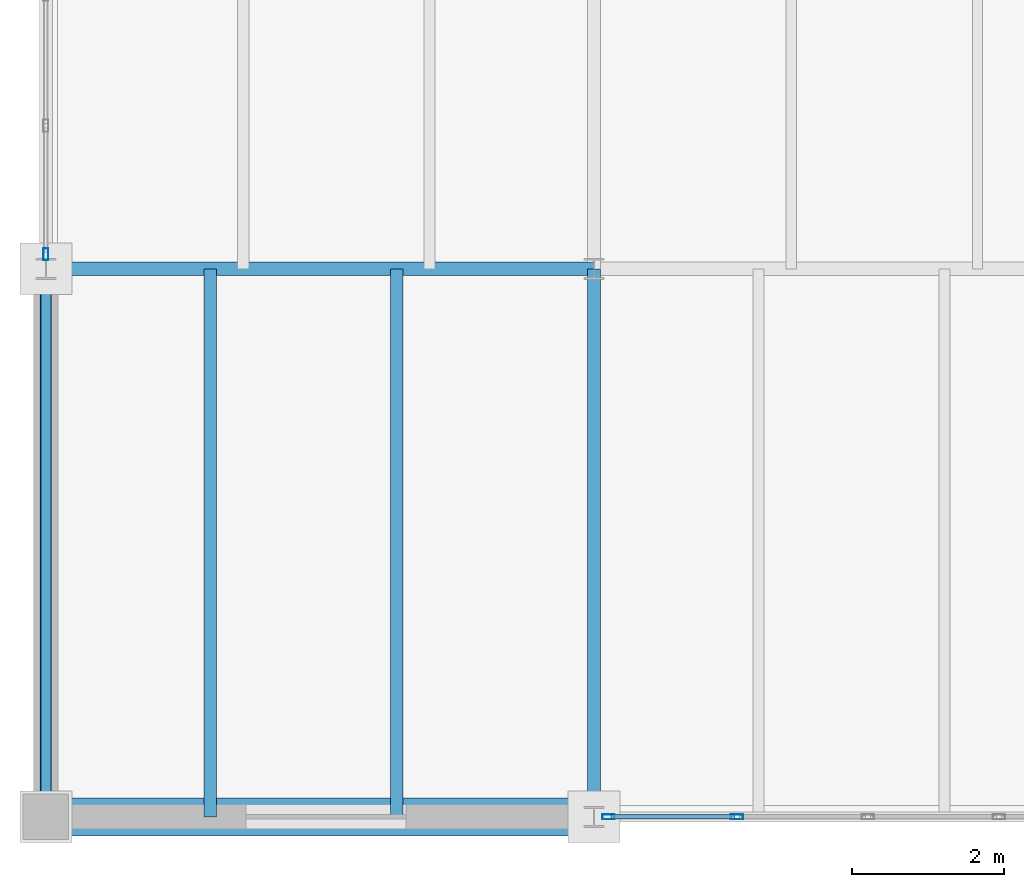
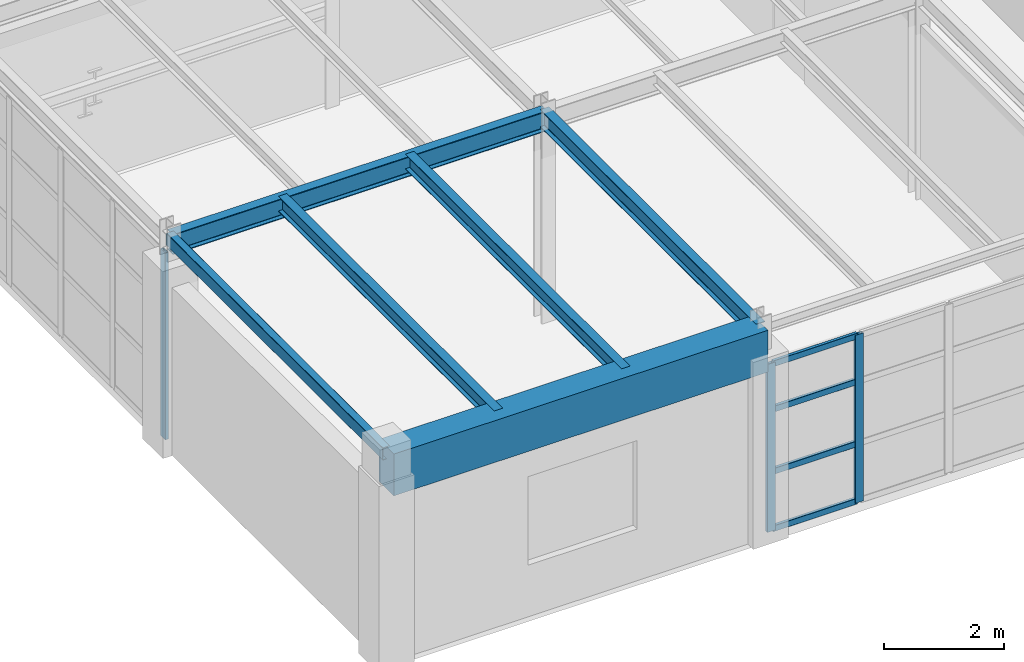
# One storey, part 12 of 101: 7 members, 6 beams, 2 elements without a shape of their own.
"""IFC4 building model written with IfcOpenShell, lengths in metres."""

from ifc_helpers import new_model, si_unit, direction, frame, origin, origin_2d, place, context, subcontext, project, spatial, rectangle, hollow_rectangle, i_section, extrude, material, layer, layer_set, material_profile, profile_set, type_object, element, aggregate, save


model = new_model("IFC4")

# Units and contexts
model_context = context("Model", 3, precision=1e-05, world=origin(), true_north=direction((0.0, 1.0)))
body_context = subcontext(model_context, "Body", "Model", "MODEL_VIEW")
ifc_project = project(units=[si_unit("LENGTHUNIT", "METRE"), si_unit("AREAUNIT", "SQUARE_METRE"), si_unit("VOLUMEUNIT", "CUBIC_METRE"), si_unit("PLANEANGLEUNIT", "RADIAN"), si_unit("MASSUNIT", "GRAM", prefix="KILO")], contexts=[model_context])

# Site, building, storey
site_placement = place(None, origin())
site = spatial("IfcSite", under=ifc_project, at=site_placement, CompositionType="ELEMENT")
building_placement = place(site_placement, origin())
building = spatial("IfcBuilding", under=site, at=building_placement, Name="Kemerveld Promenade Tramway Depot", CompositionType="ELEMENT")
storey_placement = place(building_placement, frame((0.0, 0.0, 9.89990234375)))
storey = spatial("IfcBuildingStorey", under=building, at=storey_placement, Name="L02", CompositionType="ELEMENT", Elevation=9.89990234375)

# Beams
ifc_material_1 = material(Name="Steel S355", Category="steel")
ifc_material_profile_1 = material_profile(ifc_material_1, i_section(OverallWidth=0.1787109375, OverallDepth=0.409423828125, WebThickness=0.0087890625, FlangeThickness=0.014404296875, FilletRadius=0.01025390625, at=origin_2d()), Name="406x178x67 UB")
ifc_profile_set_1 = profile_set([ifc_material_profile_1], Name="Steel S355")
beam_type_1 = type_object("IfcBeamType", Name="BM-G07", PredefinedType="BEAM", material=ifc_profile_set_1)
beam_1_placement = place(storey_placement, frame((0.0, 7.199951171875, 4.080322265625), z_axis=(1.0, 0.0, 0.0), x_axis=(0.0, 1.0, 0.0)))
element("IfcBeam", 1, at=beam_1_placement, inside=storey, type_object=beam_type_1, Name="BMX-L02-01-02-B", PredefinedType="BEAM", context=body_context, shape_type="SweptSolid", body=[
    extrude(i_section(OverallWidth=0.1787109375, OverallDepth=0.409423828125, WebThickness=0.0087890625, FlangeThickness=0.014404296875, FilletRadius=0.01025390625, at=origin_2d()), origin(), (0.0, 0.0, 1.0), 7.199951171875),
])
ifc_material_profile_2 = material_profile(ifc_material_1, i_section(OverallWidth=0.172119140625, OverallDepth=0.35791015625, WebThickness=0.008056640625, FlangeThickness=0.012939453125, FilletRadius=0.01025390625, at=origin_2d()), Name="356x171x57 UB")
ifc_profile_set_2 = profile_set([ifc_material_profile_2], Name="Steel S355")
beam_type_2 = type_object("IfcBeamType", Name="BM-G08", PredefinedType="BEAM", material=ifc_profile_set_2)
beam_2_placement = place(storey_placement, frame((7.199951171875, 0.0, 4.106201171875), z_axis=(0.0, 1.0, 0.0), x_axis=(-1.0, 0.0, 0.0)))
element("IfcBeam", 2, at=beam_2_placement, inside=storey, type_object=beam_type_2, Name="BMY-L02-02-A-B", PredefinedType="BEAM", context=body_context, shape_type="SweptSolid", body=[
    extrude(i_section(OverallWidth=0.172119140625, OverallDepth=0.35791015625, WebThickness=0.008056640625, FlangeThickness=0.012939453125, FilletRadius=0.01025390625, at=origin_2d()), origin(), (0.0, 0.0, 1.0), 7.199951171875),
])
ifc_material_profile_3 = material_profile(ifc_material_1, i_section(OverallWidth=0.165771484375, OverallDepth=0.306640625, WebThickness=0.006591796875, FlangeThickness=0.01171875, FilletRadius=0.0087890625, at=origin_2d()), Name="305x165x46 UB")
ifc_profile_set_3 = profile_set([ifc_material_profile_3], Name="Steel S355")
beam_type_3 = type_object("IfcBeamType", Name="BM-J01", PredefinedType="JOIST", material=ifc_profile_set_3)
for number, where, z_axis, x_axis, name in (
    (3, (2.159912109375, 0.0, 4.1318359375), (0.0, 1.0, 0.0), (-1.0, 0.0, 0.0), "JST-L02-01-A-1"),
    (4, (4.60791015625, 0.0, 4.1318359375), (0.0, 1.0, 0.0), (-1.0, 0.0, 0.0), "JST-L02-01-A-2"),
):
    element("IfcBeam", number, at=place(storey_placement, frame(where, z_axis=z_axis, x_axis=x_axis)), inside=storey, type_object=beam_type_3, Name=name, PredefinedType="JOIST", context=body_context, shape_type="SweptSolid", body=[
        extrude(i_section(OverallWidth=0.165771484375, OverallDepth=0.306640625, WebThickness=0.006591796875, FlangeThickness=0.01171875, FilletRadius=0.0087890625, at=origin_2d()), origin(), (0.0, 0.0, 1.0), 7.199951171875),
    ])
ifc_material_2 = material(Name="Concrete C40/50", Category="concrete")
ifc_material_profile_4 = material_profile(ifc_material_2, rectangle(XDim=0.5, YDim=0.85009765625, at=origin_2d()), Name="RC-BM-500x850")
ifc_profile_set_4 = profile_set([ifc_material_profile_4], Name="Concrete C40/50")
beam_type_4 = type_object("IfcBeamType", Name="BM-RC7", PredefinedType="BEAM", material=ifc_profile_set_4)
beam_3_placement = place(storey_placement, frame((0.0, 0.0, 3.860107421875), z_axis=(1.0, 0.0, 0.0), x_axis=(0.0, 1.0, 0.0)))
element("IfcBeam", 5, at=beam_3_placement, inside=storey, type_object=beam_type_4, Name="BMX-L02-01-02-A", PredefinedType="BEAM", context=body_context, shape_type="SweptSolid", body=[
    extrude(rectangle(XDim=0.5, YDim=0.85009765625, at=origin_2d()), origin(), (0.0, 0.0, 1.0), 7.199951171875),
])
ifc_material_profile_5 = material_profile(ifc_material_1, hollow_rectangle(XDim=0.14990234375, YDim=0.25, WallThickness=0.010009765625, InnerFilletRadius=0.0048828125, OuterFilletRadius=0.014892578125, at=origin_2d()), Name="250x150x10.0 RHS")
ifc_profile_set_5 = profile_set([ifc_material_profile_5], Name="Steel S355")
beam_type_5 = type_object("IfcBeamType", Name="BM-SP2", PredefinedType="SPANDREL", material=ifc_profile_set_5)
beam_4_placement = place(storey_placement, frame((0.0, 0.0, 4.16015625), z_axis=(0.0, 1.0, 0.0), x_axis=(-1.0, 0.0, 0.0)))
element("IfcBeam", 6, at=beam_4_placement, inside=storey, type_object=beam_type_5, Name="BMY-L02-01-A-B", PredefinedType="SPANDREL", context=body_context, shape_type="SweptSolid", body=[
    extrude(hollow_rectangle(XDim=0.14990234375, YDim=0.25, WallThickness=0.010009765625, InnerFilletRadius=0.0048828125, OuterFilletRadius=0.014892578125, at=origin_2d()), origin(), (0.0, 0.0, 1.0), 7.199951171875),
])

# Curtain wall, member
ifc_material_3 = material(Name="Bronze anodised aluminium and solar glass", Category="aluminium")
ifc_layer_1 = layer(ifc_material_3, 0.159912109375)
ifc_layer_set_1 = layer_set([ifc_layer_1], Name="CW-SYS-05")
curtain_wall_type_1 = type_object("IfcCurtainWallType", Name="CW-SYS-05", PredefinedType="USERDEFINED", material=ifc_layer_set_1)
curtain_wall_1_placement = place(storey_placement, origin())
curtain_wall_1 = element("IfcCurtainWall", 7, at=curtain_wall_1_placement, inside=storey, type_object=curtain_wall_type_1, Name="CW-L02-V5W-02", ObjectType="GLAZED_CURTAIN_WALL", PredefinedType="USERDEFINED")
ifc_material_4 = material(Name="Bronze anodised aluminium", Category="aluminium")
ifc_material_profile_6 = material_profile(ifc_material_4, hollow_rectangle(XDim=0.06494140625, YDim=0.159912109375, WallThickness=0.00390625, InnerFilletRadius=0.001953125, OuterFilletRadius=0.00390625, at=origin_2d()), Name="CW-MUL-160x65")
ifc_profile_set_6 = profile_set([ifc_material_profile_6], Name="Bronze anodised aluminium")
member_type_1 = type_object("IfcMemberType", Name="CW-MUL-A", PredefinedType="MULLION", material=ifc_profile_set_6)
member_1_placement = place(storey_placement, frame((0.0, 7.390625, 0.0), z_axis=(0.0, 0.0, 1.0), x_axis=(-1.0, 0.0, 0.0)))
member_1 = element("IfcMember", 8, at=member_1_placement, type_object=member_type_1, Name="CW05 mullion 1", PredefinedType="MULLION", context=body_context, shape_type="SweptSolid", body=[
    extrude(hollow_rectangle(XDim=0.06494140625, YDim=0.159912109375, WallThickness=0.00390625, InnerFilletRadius=0.001953125, OuterFilletRadius=0.00390625, at=origin_2d()), origin(), (0.0, 0.0, 1.0), 3.800048828125),
])
aggregate(curtain_wall_1, [member_1])

# Curtain wall, members
ifc_layer_2 = layer(ifc_material_3, 0.159912109375)
ifc_layer_set_2 = layer_set([ifc_layer_2], Name="CW-SYS-09")
curtain_wall_type_2 = type_object("IfcCurtainWallType", Name="CW-SYS-09", PredefinedType="USERDEFINED", material=ifc_layer_set_2)
curtain_wall_2_placement = place(storey_placement, origin())
curtain_wall_2 = element("IfcCurtainWall", 9, at=curtain_wall_2_placement, inside=storey, type_object=curtain_wall_type_2, Name="CW-L02-V5S-06", ObjectType="GLAZED_CURTAIN_WALL", PredefinedType="USERDEFINED")
member_2_placement = place(storey_placement, frame((9.0791015625, 0.0, 0.0), z_axis=(0.0, 0.0, 1.0), x_axis=(0.0, -1.0, 0.0)))
member_2 = element("IfcMember", 10, at=member_2_placement, type_object=member_type_1, Name="CW09 mullion 4", PredefinedType="MULLION", context=body_context, shape_type="SweptSolid", body=[
    extrude(hollow_rectangle(XDim=0.06494140625, YDim=0.159912109375, WallThickness=0.00390625, InnerFilletRadius=0.001953125, OuterFilletRadius=0.00390625, at=origin_2d()), origin(), (0.0, 0.0, 1.0), 3.4150390625),
])
member_3_placement = place(storey_placement, frame((7.390625, 0.0, 0.0), z_axis=(0.0, 0.0, 1.0), x_axis=(0.0, -1.0, 0.0)))
member_3 = element("IfcMember", 11, at=member_3_placement, type_object=member_type_1, Name="CW09 mullion 5", PredefinedType="MULLION", context=body_context, shape_type="SweptSolid", body=[
    extrude(hollow_rectangle(XDim=0.06494140625, YDim=0.159912109375, WallThickness=0.00390625, InnerFilletRadius=0.001953125, OuterFilletRadius=0.00390625, at=origin_2d()), origin(), (0.0, 0.0, 1.0), 3.4150390625),
])
ifc_material_profile_7 = material_profile(ifc_material_4, hollow_rectangle(XDim=0.06005859375, YDim=0.1201171875, WallThickness=0.00390625, InnerFilletRadius=0.001953125, OuterFilletRadius=0.00390625, at=origin_2d()), Name="CW-TRN-120x60")
ifc_profile_set_7 = profile_set([ifc_material_profile_7], Name="Bronze anodised aluminium")
member_type_2 = type_object("IfcMemberType", Name="CW-TRN-A", PredefinedType="USERDEFINED", material=ifc_profile_set_7)
member_4_placement = place(storey_placement, frame((9.046630859375, 0.0, 0.030029296875), z_axis=(-1.0, 0.0, 0.0), x_axis=(0.0, -1.0, 0.0)))
member_4 = element("IfcMember", 12, at=member_4_placement, type_object=member_type_2, Name="CW09 transom 4.1", ObjectType="TRANSOM", PredefinedType="USERDEFINED", context=body_context, shape_type="SweptSolid", body=[
    extrude(hollow_rectangle(XDim=0.06005859375, YDim=0.1201171875, WallThickness=0.00390625, InnerFilletRadius=0.001953125, OuterFilletRadius=0.00390625, at=origin_2d()), origin(), (0.0, 0.0, 1.0), 1.62353515625),
])
member_5_placement = place(storey_placement, frame((9.046630859375, 0.0, 1.195068359375), z_axis=(-1.0, 0.0, 0.0), x_axis=(0.0, -1.0, 0.0)))
member_5 = element("IfcMember", 13, at=member_5_placement, type_object=member_type_2, Name="CW09 transom 4.2", ObjectType="TRANSOM", PredefinedType="USERDEFINED", context=body_context, shape_type="SweptSolid", body=[
    extrude(hollow_rectangle(XDim=0.06005859375, YDim=0.1201171875, WallThickness=0.00390625, InnerFilletRadius=0.001953125, OuterFilletRadius=0.00390625, at=origin_2d()), origin(), (0.0, 0.0, 1.0), 1.62353515625),
])
member_6_placement = place(storey_placement, frame((9.046630859375, 0.0, 2.458984375), z_axis=(-1.0, 0.0, 0.0), x_axis=(0.0, -1.0, 0.0)))
member_6 = element("IfcMember", 14, at=member_6_placement, type_object=member_type_2, Name="CW09 transom 4.3", ObjectType="TRANSOM", PredefinedType="USERDEFINED", context=body_context, shape_type="SweptSolid", body=[
    extrude(hollow_rectangle(XDim=0.06005859375, YDim=0.1201171875, WallThickness=0.00390625, InnerFilletRadius=0.001953125, OuterFilletRadius=0.00390625, at=origin_2d()), origin(), (0.0, 0.0, 1.0), 1.62353515625),
])
member_7_placement = place(storey_placement, frame((9.046630859375, 0.0, 3.385009765625), z_axis=(-1.0, 0.0, 0.0), x_axis=(0.0, -1.0, 0.0)))
member_7 = element("IfcMember", 15, at=member_7_placement, type_object=member_type_2, Name="CW09 transom 4.4", ObjectType="TRANSOM", PredefinedType="USERDEFINED", context=body_context, shape_type="SweptSolid", body=[
    extrude(hollow_rectangle(XDim=0.06005859375, YDim=0.1201171875, WallThickness=0.00390625, InnerFilletRadius=0.001953125, OuterFilletRadius=0.00390625, at=origin_2d()), origin(), (0.0, 0.0, 1.0), 1.62353515625),
])
aggregate(curtain_wall_2, [member_2, member_3, member_4, member_5, member_6, member_7])

save(model, "model.ifc")
